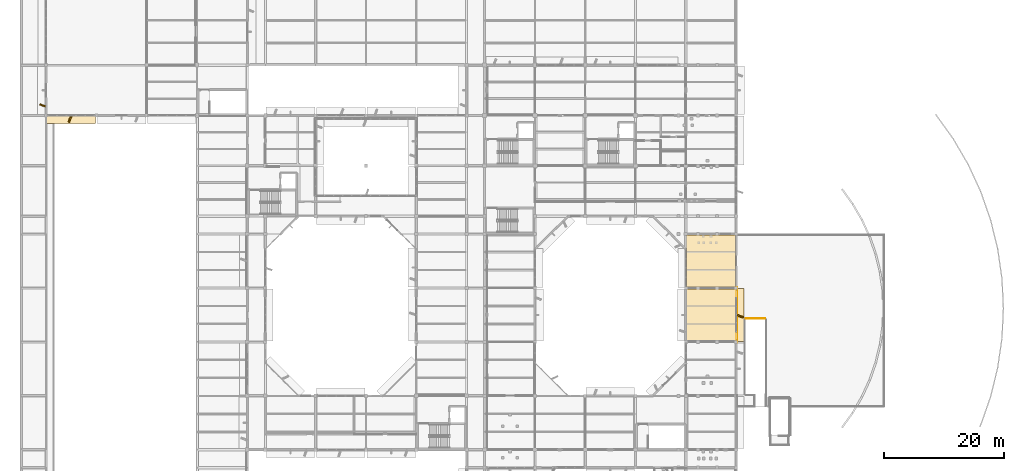
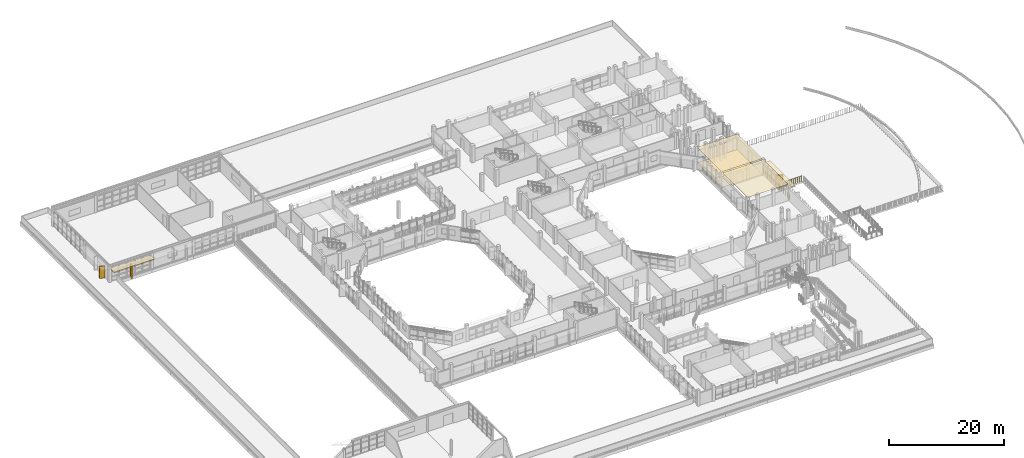
# One storey, part 80 of 92: 8 coverings, 2 railings.
"""IFC4 building model written with IfcOpenShell, lengths in metres."""

import ifcopenshell
import ifcopenshell.guid

model = None  # the IFC model being written
_history = None  # IfcOwnerHistory: only IFC2X3 demands one
_inside = {}  # id of a spatial element -> (the spatial element, [elements in it])
_under = {}  # id of a project, library or spatial element -> (it, [spatial elements below it])
_declared = {}  # id of a project -> (the project, [libraries it declares])
_typed = {}  # id of a type object -> (the type object, [elements of that type])
_made_of = {}  # id of a material, layer set ... -> (it, [elements and type objects made of it])


def new_model(schema):
    """Start an empty IFC model of exactly this schema.

    Asked for "IFC4X3", IfcOpenShell would pick the latest addendum, in which some entities
    have other attributes; the version numbers below select the first issue.
    IFC2X3 requires an IfcOwnerHistory on every rooted entity: one is made here for all.
    """
    global model, _history
    if schema == "IFC4X3":
        model = ifcopenshell.file(schema_version=(4, 3, 0, 0))
    else:
        model = ifcopenshell.file(schema=schema)
    _inside.clear()
    _under.clear()
    _declared.clear()
    _typed.clear()
    _made_of.clear()
    _history = None
    if model.schema == "IFC2X3":
        org = make("IfcOrganization", Name="unknown")
        user = make(
            "IfcPersonAndOrganization",
            ThePerson=make("IfcPerson", FamilyName="unknown"),
            TheOrganization=org,
        )
        app = make(
            "IfcApplication",
            ApplicationDeveloper=org,
            Version="unknown",
            ApplicationFullName="unknown",
            ApplicationIdentifier="unknown",
        )
        _history = make(
            "IfcOwnerHistory",
            OwningUser=user,
            OwningApplication=app,
            ChangeAction="ADDED",
            CreationDate=0,
        )
    return model


def make(cls, **values):
    """One entity of the class cls with the attributes given. An attribute that is None is left unset."""
    return model.create_entity(
        cls, **{name: value for name, value in values.items() if value is not None}
    )


def rooted(cls, **values):
    """An entity with a GlobalId (a new one), such as an element, a storey or a relation."""
    return make(cls, GlobalId=ifcopenshell.guid.new(), OwnerHistory=_history, **values)


def si_unit(unit_type, name, prefix=None):
    """IfcSIUnit, for example si_unit("LENGTHUNIT", "METRE", prefix="MILLI")."""
    return make("IfcSIUnit", UnitType=unit_type, Prefix=prefix, Name=name)


def assignment(units):
    """IfcUnitAssignment: the units of a project."""
    return None if units is None else make("IfcUnitAssignment", Units=units)


def point(xyz):
    """IfcCartesianPoint."""
    return None if xyz is None else make("IfcCartesianPoint", Coordinates=xyz)


def direction(xyz):
    """IfcDirection."""
    return None if xyz is None else make("IfcDirection", DirectionRatios=xyz)


def frame(location, z_axis=None, x_axis=None):
    """IfcAxis2Placement3D, a coordinate frame: its origin and axes. An axis left out is left unset."""
    return make(
        "IfcAxis2Placement3D",
        Location=point(location),
        Axis=direction(z_axis),
        RefDirection=direction(x_axis),
    )


def frame_2d(location, x_axis=None):
    """IfcAxis2Placement2D, a coordinate frame in the plane: its origin and x axis."""
    return make(
        "IfcAxis2Placement2D", Location=point(location), RefDirection=direction(x_axis)
    )


def origin():
    """The frame at (0, 0, 0) with its axes left unset."""
    return frame((0.0, 0.0, 0.0))


def origin_2d():
    """The frame at (0, 0) in the plane with its x axis left unset."""
    return frame_2d((0.0, 0.0))


def place(relative_to, where):
    """IfcLocalPlacement: puts the frame where relative to a parent placement (None: the world)."""
    return make(
        "IfcLocalPlacement", PlacementRelTo=relative_to, RelativePlacement=where
    )


def context(
    kind, dimensions, precision=None, world=None, true_north=None, identifier=None
):
    """IfcGeometricRepresentationContext, for example the 3D "Model" context."""
    return make(
        "IfcGeometricRepresentationContext",
        ContextIdentifier=identifier,
        ContextType=kind,
        CoordinateSpaceDimension=dimensions,
        Precision=precision,
        WorldCoordinateSystem=world,
        TrueNorth=true_north,
    )


def subcontext(parent, identifier, kind, view, scale=None):
    """IfcGeometricRepresentationSubContext, for example "Body" below "Model"."""
    return make(
        "IfcGeometricRepresentationSubContext",
        ContextIdentifier=identifier,
        ContextType=kind,
        ParentContext=parent,
        TargetScale=scale,
        TargetView=view,
    )


def project(units=None, contexts=None):
    """IfcProject with its units and contexts."""
    return rooted(
        "IfcProject",
        Name="project",
        RepresentationContexts=contexts,
        UnitsInContext=assignment(units),
    )


def spatial(cls, under=None, at=None, **own):
    """A site, building, storey or space (cls), placed at a placement, below another one or the project."""
    s = rooted(cls, ObjectPlacement=at, **own)
    if under is not None:
        _under.setdefault(under.id(), (under, []))[1].append(s)
    return s


def polyline(points):
    """IfcPolyline through the points."""
    return make("IfcPolyline", Points=[point(p) for p in points])


def profile(cls, at=None, kind="AREA", **sizes):
    """A parametric profile (cls). Its sizes go by their IFC names, for example OverallWidth=200.0."""
    return make(cls, ProfileType=kind, Position=at, **sizes)


def rectangle(**sizes):
    """IfcRectangleProfileDef."""
    return profile("IfcRectangleProfileDef", **sizes)


def circle(**sizes):
    """IfcCircleProfileDef."""
    return profile("IfcCircleProfileDef", **sizes)


def outline(outer, holes=None, kind="AREA"):
    """IfcArbitraryClosedProfileDef: a profile drawn as a closed curve; with holes, ...WithVoids."""
    if holes is None:
        return make("IfcArbitraryClosedProfileDef", ProfileType=kind, OuterCurve=outer)
    return make(
        "IfcArbitraryProfileDefWithVoids",
        ProfileType=kind,
        OuterCurve=outer,
        InnerCurves=holes,
    )


def extrude(swept, where, along, depth):
    """IfcExtrudedAreaSolid: the profile swept, set in the frame where, extruded along a direction by depth."""
    return make(
        "IfcExtrudedAreaSolid",
        SweptArea=swept,
        Position=where,
        ExtrudedDirection=direction(along),
        Depth=depth,
    )


def shape(context_of_items, identifier, shape_type, items):
    """IfcShapeRepresentation: the items that make up one representation, for example the "Body"."""
    return make(
        "IfcShapeRepresentation",
        ContextOfItems=context_of_items,
        RepresentationIdentifier=identifier,
        RepresentationType=shape_type,
        Items=items,
    )


def material(Name=None, Category=None):
    """IfcMaterial."""
    return make("IfcMaterial", Name=Name, Category=Category)


def layer(
    of_material, thickness, ventilated=None, Name=None, Category=None, Priority=None
):
    """IfcMaterialLayer: one layer of a wall or slab, of a material (None: an air gap)."""
    return make(
        "IfcMaterialLayer",
        Material=of_material,
        LayerThickness=thickness,
        IsVentilated=ventilated,
        Name=Name,
        Category=Category,
        Priority=Priority,
    )


def layer_set(layers, Name=None):
    """IfcMaterialLayerSet."""
    return make("IfcMaterialLayerSet", MaterialLayers=layers, LayerSetName=Name)


def made_of(thing, what):
    """Note that an element or type object is made of a material, layer set ...; save() writes the relation."""
    if what is not None:
        _made_of.setdefault(what.id(), (what, []))[1].append(thing)
    return thing


def type_object(cls, material=None, **own):
    """A type object (cls), such as IfcWallType, which elements share."""
    return made_of(rooted(cls, **own), material)


def element(
    cls,
    number,
    at=None,
    inside=None,
    cuts=None,
    type_object=None,
    material=None,
    context=None,
    identifier="Body",
    shape_type=None,
    held_by="IfcProductDefinitionShape",
    body=None,
    shapes=None,
    **own,
):
    """One element of the class cls, such as IfcWall. Its Tag is "e" and its number.

    at: its placement. inside: the storey or other place that contains it. cuts: it is an
    opening in that element (IfcRelVoidsElement). A single representation is given by context,
    identifier, shape_type and body (its items); several are given by shapes. held_by: the class
    of the entity that holds the representations. save() writes the other relations.
    """
    e = rooted(cls, Tag="e%d" % number, ObjectPlacement=at, **own)
    if body is not None:
        shapes = [shape(context, identifier, shape_type, body)]
    if shapes is not None:
        e.Representation = make(held_by, Representations=shapes)
    if inside is not None:
        _inside.setdefault(inside.id(), (inside, []))[1].append(e)
    if cuts is not None:
        rooted(
            "IfcRelVoidsElement", RelatingBuildingElement=cuts, RelatedOpeningElement=e
        )
    if type_object is not None:
        _typed.setdefault(type_object.id(), (type_object, []))[1].append(e)
    return made_of(e, material)


def aggregate(whole, parts):
    """IfcRelAggregates: a whole, such as a stair, and the parts it consists of."""
    return rooted("IfcRelAggregates", RelatingObject=whole, RelatedObjects=parts)


def save(model, path):
    """Write the relations noted so far, then the file.

    IfcRelAggregates (storeys below a building ...), IfcRelContainedInSpatialStructure (elements
    in a storey), IfcRelDefinesByType, IfcRelAssociatesMaterial and IfcRelDeclares: one each for
    every whole, place, type object, material and project.
    """
    for whole, parts in _under.values():
        aggregate(whole, parts)
    for where, things in _inside.values():
        rooted(
            "IfcRelContainedInSpatialStructure",
            RelatedElements=things,
            RelatingStructure=where,
        )
    for kind, things in _typed.values():
        rooted("IfcRelDefinesByType", RelatedObjects=things, RelatingType=kind)
    for what, things in _made_of.values():
        rooted("IfcRelAssociatesMaterial", RelatedObjects=things, RelatingMaterial=what)
    for by, libraries in _declared.values():
        rooted("IfcRelDeclares", RelatingContext=by, RelatedDefinitions=libraries)
    model.write(path)


model = new_model("IFC4")

# Units and contexts
model_context = context("Model", 3, precision=1e-05, world=origin(), true_north=direction((0.0, 1.0)))
body_context = subcontext(model_context, "Body", "Model", "MODEL_VIEW")
ifc_project = project(units=[si_unit("LENGTHUNIT", "METRE"), si_unit("AREAUNIT", "SQUARE_METRE"), si_unit("VOLUMEUNIT", "CUBIC_METRE"), si_unit("PLANEANGLEUNIT", "RADIAN"), si_unit("MASSUNIT", "GRAM", prefix="KILO")], contexts=[model_context])

# Site, building, storey
site_placement = place(None, origin())
site = spatial("IfcSite", under=ifc_project, at=site_placement, CompositionType="ELEMENT")
building_placement = place(site_placement, origin())
building = spatial("IfcBuilding", under=site, at=building_placement, Name="Vanh Quang Courtyard School", CompositionType="ELEMENT")
storey_placement = place(building_placement, frame((0.0, 0.0, 7.800048828125)))
storey = spatial("IfcBuildingStorey", under=building, at=storey_placement, Name="L02", CompositionType="ELEMENT", Elevation=7.800048828125)

# Coverings
ifc_material_1 = material(Name="Perforated mineral-fibre acoustic ceiling board")
ifc_layer_1 = layer(ifc_material_1, 0.02490234375)
ifc_layer_set_1 = layer_set([ifc_layer_1], Name="Perforated mineral-fibre acoustic ceiling board")
covering_type_1 = type_object("IfcCoveringType", Name="COV-CEIL-ACOUSTIC", PredefinedType="CEILING", material=ifc_layer_set_1)
covering_1_placement = place(storey_placement, frame((0.0, 0.0, 3.31494140625)))
element("IfcCovering", 1, at=covering_1_placement, inside=storey, type_object=covering_type_1, Name="Covering CV-CL1 (L02)", PredefinedType="CEILING", context=body_context, shape_type="SweptSolid", body=[
    extrude(outline(polyline([(111.139892578125, 50.550048828125), (111.138916015625, 50.550048828125), (111.137939453125, 50.55029296875), (111.13720703125, 50.55029296875), (111.13623046875, 50.55078125), (111.13525390625, 50.55126953125), (111.134521484375, 50.5517578125), (111.1337890625, 50.55224609375), (111.1328125, 50.552978515625), (111.13232421875, 50.5537109375), (111.131591796875, 50.554443359375), (111.131103515625, 50.555419921875), (111.130859375, 50.55615234375), (111.13037109375, 50.55712890625), (111.130126953125, 50.55810546875), (111.1298828125, 50.55908203125), (111.1298828125, 50.56005859375), (111.1298828125, 59.260009765625), (111.1298828125, 59.260986328125), (111.130126953125, 59.261962890625), (111.13037109375, 59.262939453125), (111.130859375, 59.263916015625), (111.131103515625, 59.2646484375), (111.131591796875, 59.265625), (111.13232421875, 59.266357421875), (111.1328125, 59.26708984375), (111.1337890625, 59.267578125), (111.134521484375, 59.268310546875), (111.13525390625, 59.268798828125), (111.13623046875, 59.269287109375), (111.13720703125, 59.26953125), (111.137939453125, 59.269775390625), (111.138916015625, 59.27001953125), (111.139892578125, 59.27001953125), (119.260009765625, 59.27001953125), (119.260986328125, 59.27001953125), (119.261962890625, 59.269775390625), (119.262939453125, 59.26953125), (119.263916015625, 59.269287109375), (119.2646484375, 59.268798828125), (119.265625, 59.268310546875), (119.266357421875, 59.267578125), (119.26708984375, 59.26708984375), (119.267578125, 59.266357421875), (119.268310546875, 59.265625), (119.268798828125, 59.2646484375), (119.269287109375, 59.263916015625), (119.26953125, 59.262939453125), (119.269775390625, 59.261962890625), (119.27001953125, 59.260986328125), (119.27001953125, 59.260009765625), (119.27001953125, 50.56005859375), (119.27001953125, 50.55908203125), (119.269775390625, 50.55810546875), (119.26953125, 50.55712890625), (119.269287109375, 50.55615234375), (119.268798828125, 50.555419921875), (119.268310546875, 50.554443359375), (119.267578125, 50.5537109375), (119.26708984375, 50.552978515625), (119.266357421875, 50.55224609375), (119.265625, 50.5517578125), (119.2646484375, 50.55126953125), (119.263916015625, 50.55078125), (119.262939453125, 50.55029296875), (119.261962890625, 50.55029296875), (119.260986328125, 50.550048828125), (119.260009765625, 50.550048828125), (111.139892578125, 50.550048828125)])), origin(), (0.0, 0.0, 1.0), 0.02490234375),
])
covering_2_placement = place(storey_placement, frame((0.0, 0.0, 3.31494140625)))
element("IfcCovering", 2, at=covering_2_placement, inside=storey, type_object=covering_type_1, Name="Covering CV-CL1 (L02)", PredefinedType="CEILING", context=body_context, shape_type="SweptSolid", body=[
    extrude(outline(polyline([(111.139892578125, 59.550048828125), (111.138916015625, 59.550048828125), (111.137939453125, 59.55029296875), (111.13720703125, 59.55029296875), (111.13623046875, 59.55078125), (111.13525390625, 59.55126953125), (111.134521484375, 59.5517578125), (111.1337890625, 59.55224609375), (111.1328125, 59.552978515625), (111.13232421875, 59.5537109375), (111.131591796875, 59.554443359375), (111.131103515625, 59.555419921875), (111.130859375, 59.55615234375), (111.13037109375, 59.55712890625), (111.130126953125, 59.55810546875), (111.1298828125, 59.55908203125), (111.1298828125, 59.56005859375), (111.1298828125, 68.260009765625), (111.1298828125, 68.260986328125), (111.130126953125, 68.261962890625), (111.13037109375, 68.262939453125), (111.130859375, 68.263916015625), (111.131103515625, 68.2646484375), (111.131591796875, 68.265625), (111.13232421875, 68.266357421875), (111.1328125, 68.26708984375), (111.1337890625, 68.267578125), (111.134521484375, 68.268310546875), (111.13525390625, 68.268798828125), (111.13623046875, 68.269287109375), (111.13720703125, 68.26953125), (111.137939453125, 68.269775390625), (111.138916015625, 68.27001953125), (111.139892578125, 68.27001953125), (119.260009765625, 68.27001953125), (119.260986328125, 68.27001953125), (119.261962890625, 68.269775390625), (119.262939453125, 68.26953125), (119.263916015625, 68.269287109375), (119.2646484375, 68.268798828125), (119.265625, 68.268310546875), (119.266357421875, 68.267578125), (119.26708984375, 68.26708984375), (119.267578125, 68.266357421875), (119.268310546875, 68.265625), (119.268798828125, 68.2646484375), (119.269287109375, 68.263916015625), (119.26953125, 68.262939453125), (119.269775390625, 68.261962890625), (119.27001953125, 68.260986328125), (119.27001953125, 68.260009765625), (119.27001953125, 59.56005859375), (119.27001953125, 59.55908203125), (119.269775390625, 59.55810546875), (119.26953125, 59.55712890625), (119.269287109375, 59.55615234375), (119.268798828125, 59.555419921875), (119.268310546875, 59.554443359375), (119.267578125, 59.5537109375), (119.26708984375, 59.552978515625), (119.266357421875, 59.55224609375), (119.265625, 59.5517578125), (119.2646484375, 59.55126953125), (119.263916015625, 59.55078125), (119.262939453125, 59.55029296875), (119.261962890625, 59.55029296875), (119.260986328125, 59.550048828125), (119.260009765625, 59.550048828125), (111.139892578125, 59.550048828125)])), origin(), (0.0, 0.0, 1.0), 0.02490234375),
])
ifc_material_2 = material(Name="Polished cementitious terrazzo tile", Category="concrete")
ifc_layer_2 = layer(ifc_material_2, 0.02001953125)
ifc_layer_set_2 = layer_set([ifc_layer_2], Name="Polished cementitious terrazzo tile")
covering_type_2 = type_object("IfcCoveringType", Name="COV-FLR-TERRAZZO", PredefinedType="FLOORING", material=ifc_layer_set_2)
covering_3_placement = place(storey_placement, origin())
element("IfcCovering", 3, at=covering_3_placement, inside=storey, type_object=covering_type_2, Name="Covering CV-FL1 (L02)", PredefinedType="FLOORING", context=body_context, shape_type="SweptSolid", body=[
    extrude(outline(polyline([(111.139892578125, 59.550048828125), (111.138916015625, 59.550048828125), (111.137939453125, 59.55029296875), (111.13720703125, 59.55029296875), (111.13623046875, 59.55078125), (111.13525390625, 59.55126953125), (111.134521484375, 59.5517578125), (111.1337890625, 59.55224609375), (111.1328125, 59.552978515625), (111.13232421875, 59.5537109375), (111.131591796875, 59.554443359375), (111.131103515625, 59.555419921875), (111.130859375, 59.55615234375), (111.13037109375, 59.55712890625), (111.130126953125, 59.55810546875), (111.1298828125, 59.55908203125), (111.1298828125, 59.56005859375), (111.1298828125, 68.260009765625), (111.1298828125, 68.260986328125), (111.130126953125, 68.261962890625), (111.13037109375, 68.262939453125), (111.130859375, 68.263916015625), (111.131103515625, 68.2646484375), (111.131591796875, 68.265625), (111.13232421875, 68.266357421875), (111.1328125, 68.26708984375), (111.1337890625, 68.267578125), (111.134521484375, 68.268310546875), (111.13525390625, 68.268798828125), (111.13623046875, 68.269287109375), (111.13720703125, 68.26953125), (111.137939453125, 68.269775390625), (111.138916015625, 68.27001953125), (111.139892578125, 68.27001953125), (119.260009765625, 68.27001953125), (119.260986328125, 68.27001953125), (119.261962890625, 68.269775390625), (119.262939453125, 68.26953125), (119.263916015625, 68.269287109375), (119.2646484375, 68.268798828125), (119.265625, 68.268310546875), (119.266357421875, 68.267578125), (119.26708984375, 68.26708984375), (119.267578125, 68.266357421875), (119.268310546875, 68.265625), (119.268798828125, 68.2646484375), (119.269287109375, 68.263916015625), (119.26953125, 68.262939453125), (119.269775390625, 68.261962890625), (119.27001953125, 68.260986328125), (119.27001953125, 68.260009765625), (119.27001953125, 59.56005859375), (119.27001953125, 59.55908203125), (119.269775390625, 59.55810546875), (119.26953125, 59.55712890625), (119.269287109375, 59.55615234375), (119.268798828125, 59.555419921875), (119.268310546875, 59.554443359375), (119.267578125, 59.5537109375), (119.26708984375, 59.552978515625), (119.266357421875, 59.55224609375), (119.265625, 59.5517578125), (119.2646484375, 59.55126953125), (119.263916015625, 59.55078125), (119.262939453125, 59.55029296875), (119.261962890625, 59.55029296875), (119.260986328125, 59.550048828125), (119.260009765625, 59.550048828125), (111.139892578125, 59.550048828125)])), origin(), (0.0, 0.0, 1.0), 0.02001953125),
])
ifc_material_3 = material(Name="Board-marked precast concrete C40/50", Category="concrete")
ifc_layer_3 = layer(ifc_material_3, 0.239990234375)
ifc_layer_set_3 = layer_set([ifc_layer_3], Name="Board-marked precast concrete C40/50")
covering_type_3 = type_object("IfcCoveringType", Name="COV-HOOD-CONC", PredefinedType="CLADDING", material=ifc_layer_set_3)
covering_4_placement = place(storey_placement, frame((120.02001953125, 54.89990234375, 2.33984375), z_axis=(0.0, 0.0, 1.0), x_axis=(0.0, -1.0, 0.0)))
element("IfcCovering", 4, at=covering_4_placement, inside=storey, type_object=covering_type_3, Name="Covering CH-01 (L02)", PredefinedType="CLADDING", context=body_context, shape_type="SweptSolid", body=[
    extrude(rectangle(XDim=8.783935546875, YDim=1.39990234375, at=origin_2d()), origin(), (0.0, 0.0, 1.0), 0.239990234375),
])
covering_5_placement = place(storey_placement, frame((119.985107421875, 54.7099609375, 0.0), z_axis=(0.0, 0.0, 1.0), x_axis=(0.94028812701, -0.340379550213, 0.0)))
element("IfcCovering", 5, at=covering_5_placement, inside=storey, type_object=covering_type_3, Name="Covering CH-01 (L02)", PredefinedType="CLADDING", context=body_context, shape_type="SweptSolid", body=[
    extrude(rectangle(XDim=1.11669921875, YDim=0.239990234375, at=origin_2d()), origin(), (0.0, 0.0, 1.0), 2.56005859375),
])
covering_6_placement = place(storey_placement, frame((8.39990234375, 87.580078125, 2.5400390625), z_axis=(0.0, 0.0, 1.0), x_axis=(-1.0, 0.0, 0.0)))
element("IfcCovering", 6, at=covering_6_placement, inside=storey, type_object=covering_type_3, Name="Covering CH-01 (L02)", PredefinedType="CLADDING", context=body_context, shape_type="SweptSolid", body=[
    extrude(rectangle(XDim=8.18408203125, YDim=1.39990234375, at=origin_2d()), origin(), (0.0, 0.0, 1.0), 0.239990234375),
])
covering_7_placement = place(storey_placement, frame((8.2099609375, 87.614990234375, 0.0), z_axis=(0.0, 0.0, 1.0), x_axis=(-0.340379550213, -0.94028812701, 0.0)))
element("IfcCovering", 7, at=covering_7_placement, inside=storey, type_object=covering_type_3, Name="Covering CH-01 (L02)", PredefinedType="CLADDING", context=body_context, shape_type="SweptSolid", body=[
    extrude(rectangle(XDim=1.11669921875, YDim=0.239990234375, at=origin_2d()), origin(), (0.0, 0.0, 1.0), 2.56005859375),
])
covering_8_placement = place(storey_placement, frame((3.6298828125, 89.882568359375, 0.0), z_axis=(0.0, 0.0, 1.0), x_axis=(-0.938009980858, 0.346608245445, 0.0)))
element("IfcCovering", 8, at=covering_8_placement, inside=storey, type_object=covering_type_3, Name="Covering CH-01 (L02)", PredefinedType="CLADDING", context=body_context, shape_type="SweptSolid", body=[
    extrude(rectangle(XDim=0.980712890625, YDim=0.239990234375, at=origin_2d()), origin(), (0.0, 0.0, 1.0), 2.56005859375),
])

# Railings
ifc_material_4 = material(Name="Galvanised painted steel EN 10025-2 S355J2", Category="steel")
railing_type = type_object("IfcRailingType", Name="RAIL-GUARD-1150", PredefinedType="BALUSTRADE", material=ifc_material_4)
railing_1_placement = place(storey_placement, frame((119.5400390625, 50.294677734375, 0.0)))
element("IfcRailing", 9, at=railing_1_placement, inside=storey, type_object=railing_type, Name="Railing GR-01 (L02)", PredefinedType="BALUSTRADE", context=body_context, shape_type="SweptSolid", body=[
    extrude(circle(Radius=0.02392578125, at=origin_2d()), frame((0.0, 0.0, 1.1259765625), z_axis=(0.0, 1.0, 0.0), x_axis=(-1.0, 0.0, 0.0)), (0.0, 0.0, 1.0), 9.210693359375),
    extrude(circle(Radius=0.02099609375, at=origin_2d()), origin(), (0.0, 0.0, 1.0), 1.101806640625),
    extrude(circle(Radius=0.02099609375, at=origin_2d()), frame((0.0, 0.1396484375, 0.0)), (0.0, 0.0, 1.0), 1.101806640625),
    extrude(circle(Radius=0.02099609375, at=origin_2d()), frame((0.0, 0.279052734375, 0.0)), (0.0, 0.0, 1.0), 1.101806640625),
    extrude(circle(Radius=0.02099609375, at=origin_2d()), frame((0.0, 0.418701171875, 0.0)), (0.0, 0.0, 1.0), 1.101806640625),
    extrude(circle(Radius=0.02099609375, at=origin_2d()), frame((0.0, 0.55810546875, 0.0)), (0.0, 0.0, 1.0), 1.101806640625),
    extrude(circle(Radius=0.02099609375, at=origin_2d()), frame((0.0, 0.69775390625, 0.0)), (0.0, 0.0, 1.0), 1.101806640625),
    extrude(circle(Radius=0.02099609375, at=origin_2d()), frame((0.0, 0.83740234375, 0.0)), (0.0, 0.0, 1.0), 1.101806640625),
    extrude(circle(Radius=0.02099609375, at=origin_2d()), frame((0.0, 0.976806640625, 0.0)), (0.0, 0.0, 1.0), 1.101806640625),
    extrude(circle(Radius=0.02099609375, at=origin_2d()), frame((0.0, 1.116455078125, 0.0)), (0.0, 0.0, 1.0), 1.101806640625),
    extrude(circle(Radius=0.02099609375, at=origin_2d()), frame((0.0, 1.256103515625, 0.0)), (0.0, 0.0, 1.0), 1.101806640625),
    extrude(circle(Radius=0.02099609375, at=origin_2d()), frame((0.0, 1.3955078125, 0.0)), (0.0, 0.0, 1.0), 1.101806640625),
    extrude(circle(Radius=0.02099609375, at=origin_2d()), frame((0.0, 1.53515625, 0.0)), (0.0, 0.0, 1.0), 1.101806640625),
    extrude(circle(Radius=0.02099609375, at=origin_2d()), frame((0.0, 1.674560546875, 0.0)), (0.0, 0.0, 1.0), 1.101806640625),
    extrude(circle(Radius=0.02099609375, at=origin_2d()), frame((0.0, 1.814208984375, 0.0)), (0.0, 0.0, 1.0), 1.101806640625),
    extrude(circle(Radius=0.02099609375, at=origin_2d()), frame((0.0, 1.953857421875, 0.0)), (0.0, 0.0, 1.0), 1.101806640625),
    extrude(circle(Radius=0.02099609375, at=origin_2d()), frame((0.0, 2.09326171875, 0.0)), (0.0, 0.0, 1.0), 1.101806640625),
    extrude(circle(Radius=0.02099609375, at=origin_2d()), frame((0.0, 2.23291015625, 0.0)), (0.0, 0.0, 1.0), 1.101806640625),
    extrude(circle(Radius=0.02099609375, at=origin_2d()), frame((0.0, 2.37255859375, 0.0)), (0.0, 0.0, 1.0), 1.101806640625),
    extrude(circle(Radius=0.02099609375, at=origin_2d()), frame((0.0, 2.511962890625, 0.0)), (0.0, 0.0, 1.0), 1.101806640625),
    extrude(circle(Radius=0.02099609375, at=origin_2d()), frame((0.0, 2.651611328125, 0.0)), (0.0, 0.0, 1.0), 1.101806640625),
    extrude(circle(Radius=0.02099609375, at=origin_2d()), frame((0.0, 2.791015625, 0.0)), (0.0, 0.0, 1.0), 1.101806640625),
    extrude(circle(Radius=0.02099609375, at=origin_2d()), frame((0.0, 2.9306640625, 0.0)), (0.0, 0.0, 1.0), 1.101806640625),
    extrude(circle(Radius=0.02099609375, at=origin_2d()), frame((0.0, 3.0703125, 0.0)), (0.0, 0.0, 1.0), 1.101806640625),
    extrude(circle(Radius=0.02099609375, at=origin_2d()), frame((0.0, 3.209716796875, 0.0)), (0.0, 0.0, 1.0), 1.101806640625),
    extrude(circle(Radius=0.02099609375, at=origin_2d()), frame((0.0, 3.349365234375, 0.0)), (0.0, 0.0, 1.0), 1.101806640625),
    extrude(circle(Radius=0.02099609375, at=origin_2d()), frame((0.0, 3.489013671875, 0.0)), (0.0, 0.0, 1.0), 1.101806640625),
    extrude(circle(Radius=0.02099609375, at=origin_2d()), frame((0.0, 3.62841796875, 0.0)), (0.0, 0.0, 1.0), 1.101806640625),
    extrude(circle(Radius=0.02099609375, at=origin_2d()), frame((0.0, 3.76806640625, 0.0)), (0.0, 0.0, 1.0), 1.101806640625),
    extrude(circle(Radius=0.02099609375, at=origin_2d()), frame((0.0, 3.907470703125, 0.0)), (0.0, 0.0, 1.0), 1.101806640625),
    extrude(circle(Radius=0.02099609375, at=origin_2d()), frame((0.0, 4.047119140625, 0.0)), (0.0, 0.0, 1.0), 1.101806640625),
    extrude(circle(Radius=0.02099609375, at=origin_2d()), frame((0.0, 4.186767578125, 0.0)), (0.0, 0.0, 1.0), 1.101806640625),
    extrude(circle(Radius=0.02099609375, at=origin_2d()), frame((0.0, 4.326171875, 0.0)), (0.0, 0.0, 1.0), 1.101806640625),
    extrude(circle(Radius=0.02099609375, at=origin_2d()), frame((0.0, 4.4658203125, 0.0)), (0.0, 0.0, 1.0), 1.101806640625),
    extrude(circle(Radius=0.02099609375, at=origin_2d()), frame((0.0, 4.60546875, 0.0)), (0.0, 0.0, 1.0), 1.101806640625),
    extrude(circle(Radius=0.02099609375, at=origin_2d()), frame((0.0, 4.744873046875, 0.0)), (0.0, 0.0, 1.0), 1.101806640625),
    extrude(circle(Radius=0.02099609375, at=origin_2d()), frame((0.0, 4.884521484375, 0.0)), (0.0, 0.0, 1.0), 1.101806640625),
    extrude(circle(Radius=0.02099609375, at=origin_2d()), frame((0.0, 5.02392578125, 0.0)), (0.0, 0.0, 1.0), 1.101806640625),
    extrude(circle(Radius=0.02099609375, at=origin_2d()), frame((0.0, 5.16357421875, 0.0)), (0.0, 0.0, 1.0), 1.101806640625),
    extrude(circle(Radius=0.02099609375, at=origin_2d()), frame((0.0, 5.30322265625, 0.0)), (0.0, 0.0, 1.0), 1.101806640625),
    extrude(circle(Radius=0.02099609375, at=origin_2d()), frame((0.0, 5.442626953125, 0.0)), (0.0, 0.0, 1.0), 1.101806640625),
    extrude(circle(Radius=0.02099609375, at=origin_2d()), frame((0.0, 5.582275390625, 0.0)), (0.0, 0.0, 1.0), 1.101806640625),
    extrude(circle(Radius=0.02099609375, at=origin_2d()), frame((0.0, 5.7216796875, 0.0)), (0.0, 0.0, 1.0), 1.101806640625),
    extrude(circle(Radius=0.02099609375, at=origin_2d()), frame((0.0, 5.861328125, 0.0)), (0.0, 0.0, 1.0), 1.101806640625),
    extrude(circle(Radius=0.02099609375, at=origin_2d()), frame((0.0, 6.0009765625, 0.0)), (0.0, 0.0, 1.0), 1.101806640625),
    extrude(circle(Radius=0.02099609375, at=origin_2d()), frame((0.0, 6.140380859375, 0.0)), (0.0, 0.0, 1.0), 1.101806640625),
    extrude(circle(Radius=0.02099609375, at=origin_2d()), frame((0.0, 6.280029296875, 0.0)), (0.0, 0.0, 1.0), 1.101806640625),
    extrude(circle(Radius=0.02099609375, at=origin_2d()), frame((0.0, 6.419677734375, 0.0)), (0.0, 0.0, 1.0), 1.101806640625),
    extrude(circle(Radius=0.02099609375, at=origin_2d()), frame((0.0, 6.55908203125, 0.0)), (0.0, 0.0, 1.0), 1.101806640625),
    extrude(circle(Radius=0.02099609375, at=origin_2d()), frame((0.0, 6.69873046875, 0.0)), (0.0, 0.0, 1.0), 1.101806640625),
    extrude(circle(Radius=0.02099609375, at=origin_2d()), frame((0.0, 6.838134765625, 0.0)), (0.0, 0.0, 1.0), 1.101806640625),
    extrude(circle(Radius=0.02099609375, at=origin_2d()), frame((0.0, 6.977783203125, 0.0)), (0.0, 0.0, 1.0), 1.101806640625),
    extrude(circle(Radius=0.02099609375, at=origin_2d()), frame((0.0, 7.117431640625, 0.0)), (0.0, 0.0, 1.0), 1.101806640625),
    extrude(circle(Radius=0.02099609375, at=origin_2d()), frame((0.0, 7.2568359375, 0.0)), (0.0, 0.0, 1.0), 1.101806640625),
    extrude(circle(Radius=0.02099609375, at=origin_2d()), frame((0.0, 7.396484375, 0.0)), (0.0, 0.0, 1.0), 1.101806640625),
    extrude(circle(Radius=0.02099609375, at=origin_2d()), frame((0.0, 7.5361328125, 0.0)), (0.0, 0.0, 1.0), 1.101806640625),
    extrude(circle(Radius=0.02099609375, at=origin_2d()), frame((0.0, 7.675537109375, 0.0)), (0.0, 0.0, 1.0), 1.101806640625),
    extrude(circle(Radius=0.02099609375, at=origin_2d()), frame((0.0, 7.815185546875, 0.0)), (0.0, 0.0, 1.0), 1.101806640625),
    extrude(circle(Radius=0.02099609375, at=origin_2d()), frame((0.0, 7.95458984375, 0.0)), (0.0, 0.0, 1.0), 1.101806640625),
    extrude(circle(Radius=0.02099609375, at=origin_2d()), frame((0.0, 8.09423828125, 0.0)), (0.0, 0.0, 1.0), 1.101806640625),
    extrude(circle(Radius=0.02099609375, at=origin_2d()), frame((0.0, 8.23388671875, 0.0)), (0.0, 0.0, 1.0), 1.101806640625),
    extrude(circle(Radius=0.02099609375, at=origin_2d()), frame((0.0, 8.373291015625, 0.0)), (0.0, 0.0, 1.0), 1.101806640625),
    extrude(circle(Radius=0.02099609375, at=origin_2d()), frame((0.0, 8.512939453125, 0.0)), (0.0, 0.0, 1.0), 1.101806640625),
    extrude(circle(Radius=0.02099609375, at=origin_2d()), frame((0.0, 8.652587890625, 0.0)), (0.0, 0.0, 1.0), 1.101806640625),
    extrude(circle(Radius=0.02099609375, at=origin_2d()), frame((0.0, 8.7919921875, 0.0)), (0.0, 0.0, 1.0), 1.101806640625),
    extrude(circle(Radius=0.02099609375, at=origin_2d()), frame((0.0, 8.931640625, 0.0)), (0.0, 0.0, 1.0), 1.101806640625),
    extrude(circle(Radius=0.02099609375, at=origin_2d()), frame((0.0, 9.071044921875, 0.0)), (0.0, 0.0, 1.0), 1.101806640625),
    extrude(circle(Radius=0.02099609375, at=origin_2d()), frame((0.0, 9.210693359375, 0.0)), (0.0, 0.0, 1.0), 1.101806640625),
])
railing_2_placement = place(storey_placement, frame((124.22998046875, 54.2900390625, 0.0)))
element("IfcRailing", 10, at=railing_2_placement, inside=storey, type_object=railing_type, Name="Railing GR-01 (L02)", PredefinedType="BALUSTRADE", context=body_context, shape_type="SweptSolid", body=[
    extrude(circle(Radius=0.02392578125, at=origin_2d()), frame((0.0, 0.0, 1.1259765625), z_axis=(-1.0, 0.0, 0.0), x_axis=(0.0, -1.0, 0.0)), (0.0, 0.0, 1.0), 3.22998046875),
    extrude(circle(Radius=0.02099609375, at=origin_2d()), origin(), (0.0, 0.0, 1.0), 1.101806640625),
    extrude(circle(Radius=0.02099609375, at=origin_2d()), frame((-0.134521484375, 0.0, 0.0)), (0.0, 0.0, 1.0), 1.101806640625),
    extrude(circle(Radius=0.02099609375, at=origin_2d()), frame((-0.26904296875, 0.0, 0.0)), (0.0, 0.0, 1.0), 1.101806640625),
    extrude(circle(Radius=0.02099609375, at=origin_2d()), frame((-0.40380859375, 0.0, 0.0)), (0.0, 0.0, 1.0), 1.101806640625),
    extrude(circle(Radius=0.02099609375, at=origin_2d()), frame((-0.538330078125, 0.0, 0.0)), (0.0, 0.0, 1.0), 1.101806640625),
    extrude(circle(Radius=0.02099609375, at=origin_2d()), frame((-0.6728515625, 0.0, 0.0)), (0.0, 0.0, 1.0), 1.101806640625),
    extrude(circle(Radius=0.02099609375, at=origin_2d()), frame((-0.8076171875, 0.0, 0.0)), (0.0, 0.0, 1.0), 1.101806640625),
    extrude(circle(Radius=0.02099609375, at=origin_2d()), frame((-0.942138671875, 0.0, 0.0)), (0.0, 0.0, 1.0), 1.101806640625),
    extrude(circle(Radius=0.02099609375, at=origin_2d()), frame((-1.07666015625, 0.0, 0.0)), (0.0, 0.0, 1.0), 1.101806640625),
    extrude(circle(Radius=0.02099609375, at=origin_2d()), frame((-1.211181640625, 0.0, 0.0)), (0.0, 0.0, 1.0), 1.101806640625),
    extrude(circle(Radius=0.02099609375, at=origin_2d()), frame((-1.345703125, 0.0, 0.0)), (0.0, 0.0, 1.0), 1.101806640625),
    extrude(circle(Radius=0.02099609375, at=origin_2d()), frame((-1.48046875, 0.0, 0.0)), (0.0, 0.0, 1.0), 1.101806640625),
    extrude(circle(Radius=0.02099609375, at=origin_2d()), frame((-1.614990234375, 0.0, 0.0)), (0.0, 0.0, 1.0), 1.101806640625),
    extrude(circle(Radius=0.02099609375, at=origin_2d()), frame((-1.74951171875, 0.0, 0.0)), (0.0, 0.0, 1.0), 1.101806640625),
    extrude(circle(Radius=0.02099609375, at=origin_2d()), frame((-1.88427734375, 0.0, 0.0)), (0.0, 0.0, 1.0), 1.101806640625),
    extrude(circle(Radius=0.02099609375, at=origin_2d()), frame((-2.018798828125, 0.0, 0.0)), (0.0, 0.0, 1.0), 1.101806640625),
    extrude(circle(Radius=0.02099609375, at=origin_2d()), frame((-2.1533203125, 0.0, 0.0)), (0.0, 0.0, 1.0), 1.101806640625),
    extrude(circle(Radius=0.02099609375, at=origin_2d()), frame((-2.287841796875, 0.0, 0.0)), (0.0, 0.0, 1.0), 1.101806640625),
    extrude(circle(Radius=0.02099609375, at=origin_2d()), frame((-2.42236328125, 0.0, 0.0)), (0.0, 0.0, 1.0), 1.101806640625),
    extrude(circle(Radius=0.02099609375, at=origin_2d()), frame((-2.55712890625, 0.0, 0.0)), (0.0, 0.0, 1.0), 1.101806640625),
    extrude(circle(Radius=0.02099609375, at=origin_2d()), frame((-2.691650390625, 0.0, 0.0)), (0.0, 0.0, 1.0), 1.101806640625),
    extrude(circle(Radius=0.02099609375, at=origin_2d()), frame((-2.826171875, 0.0, 0.0)), (0.0, 0.0, 1.0), 1.101806640625),
    extrude(circle(Radius=0.02099609375, at=origin_2d()), frame((-2.9609375, 0.0, 0.0)), (0.0, 0.0, 1.0), 1.101806640625),
    extrude(circle(Radius=0.02099609375, at=origin_2d()), frame((-3.095458984375, 0.0, 0.0)), (0.0, 0.0, 1.0), 1.101806640625),
    extrude(circle(Radius=0.02099609375, at=origin_2d()), frame((-3.22998046875, 0.0, 0.0)), (0.0, 0.0, 1.0), 1.101806640625),
])

save(model, "model.ifc")
